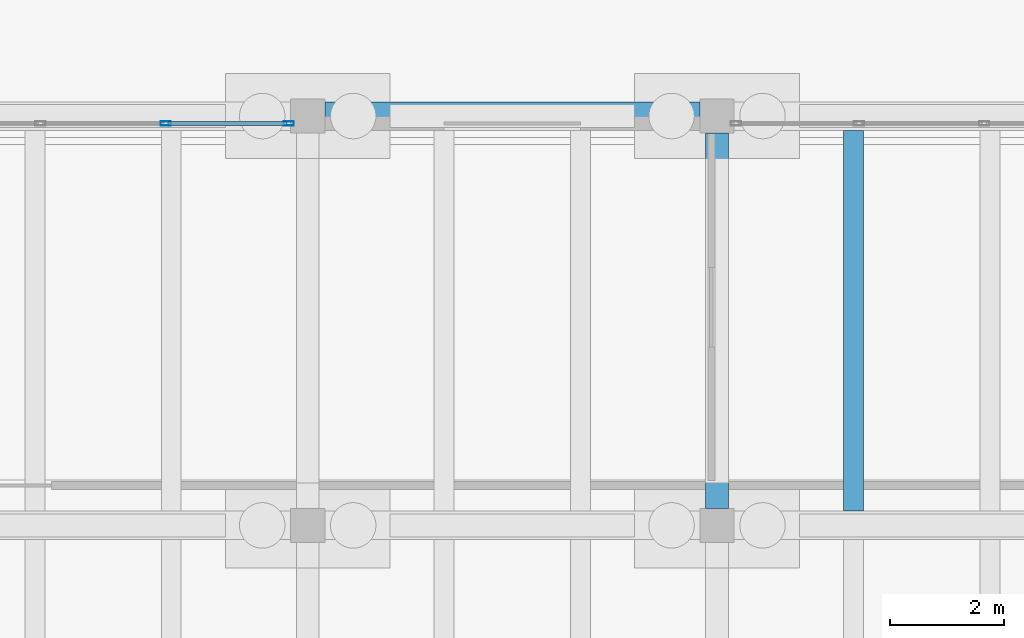
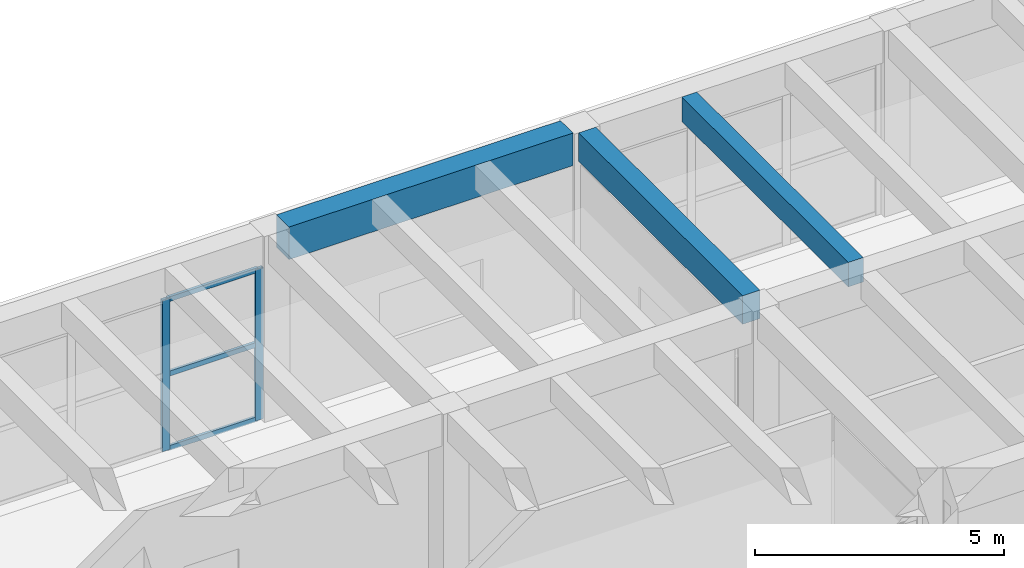
# One storey, part 101 of 155: 5 members, 3 beams, 1 element without a shape of its own.
"""IFC4 building model written with IfcOpenShell, lengths in metres."""

from ifc_helpers import new_model, si_unit, direction, frame, origin, origin_2d, place, context, subcontext, project, spatial, rectangle, hollow_rectangle, extrude, material, material_profile, profile_set, type_object, element, aggregate, save


model = new_model("IFC4")

# Units and contexts
model_context = context("Model", 3, precision=1e-05, world=origin(), true_north=direction((0.0, 1.0)))
body_context = subcontext(model_context, "Body", "Model", "MODEL_VIEW")
ifc_project = project(units=[si_unit("LENGTHUNIT", "METRE"), si_unit("AREAUNIT", "SQUARE_METRE"), si_unit("VOLUMEUNIT", "CUBIC_METRE"), si_unit("PLANEANGLEUNIT", "RADIAN"), si_unit("MASSUNIT", "GRAM", prefix="KILO")], contexts=[model_context])

# Site, building, storey
site_placement = place(None, origin())
site = spatial("IfcSite", under=ifc_project, at=site_placement, CompositionType="ELEMENT")
building_placement = place(site_placement, origin())
building = spatial("IfcBuilding", under=site, at=building_placement, Name="Bramvelor Terrace Health Centre", CompositionType="ELEMENT")
storey_placement = place(building_placement, origin())
storey = spatial("IfcBuildingStorey", under=building, at=storey_placement, Name="L01", CompositionType="ELEMENT", Elevation=0.0)

# Beams
ifc_material_1 = material(Name="Concrete C40/50", Category="concrete")
ifc_material_profile_1 = material_profile(ifc_material_1, rectangle(XDim=0.39990234375, YDim=0.699951171875, at=origin_2d()), Name="RC 400x700")
ifc_profile_set_1 = profile_set([ifc_material_profile_1], Name="Concrete C40/50")
beam_type_1 = type_object("IfcBeamType", Name="BM-RC-G700", PredefinedType="BEAM", material=ifc_profile_set_1)
beam_1_placement = place(storey_placement, frame((136.800048828125, 57.89990234375, 4.2099609375), z_axis=(0.0, 1.0, 0.0), x_axis=(-1.0, 0.0, 0.0)))
element("IfcBeam", 1, at=beam_1_placement, inside=storey, type_object=beam_type_1, Name="L01 Floor Girder", PredefinedType="BEAM", context=body_context, shape_type="SweptSolid", body=[
    extrude(rectangle(XDim=0.39990234375, YDim=0.699951171875, at=origin_2d()), origin(), (0.0, 0.0, 1.0), 6.60009765625),
])
ifc_material_2 = material(Name="Concrete C40/50", Category="concrete")
ifc_material_profile_2 = material_profile(ifc_material_2, rectangle(XDim=0.5, YDim=0.800048828125, at=origin_2d()), Name="RC 500x800")
ifc_profile_set_2 = profile_set([ifc_material_profile_2], Name="Concrete C40/50")
beam_type_2 = type_object("IfcBeamType", Name="BM-RC-G800", PredefinedType="BEAM", material=ifc_profile_set_2)
beam_2_placement = place(storey_placement, frame((129.89990234375, 64.800048828125, 4.159912109375), z_axis=(1.0, 0.0, 0.0), x_axis=(0.0, 1.0, 0.0)))
element("IfcBeam", 2, at=beam_2_placement, inside=storey, type_object=beam_type_2, Name="L01 Floor Girder", PredefinedType="BEAM", context=body_context, shape_type="SweptSolid", body=[
    extrude(rectangle(XDim=0.5, YDim=0.800048828125, at=origin_2d()), origin(), (0.0, 0.0, 1.0), 6.60009765625),
])
ifc_material_3 = material(Name="Concrete C40/50", Category="concrete")
ifc_material_profile_3 = material_profile(ifc_material_3, rectangle(XDim=0.35009765625, YDim=0.60009765625, at=origin_2d()), Name="RC 350x600")
ifc_profile_set_3 = profile_set([ifc_material_profile_3], Name="Concrete C40/50")
beam_type_3 = type_object("IfcBeamType", Name="BM-RC-J600", PredefinedType="JOIST", material=ifc_profile_set_3)
beam_3_placement = place(storey_placement, frame((139.199951171875, 57.85009765625, 4.260009765625), z_axis=(0.0, 1.0, 0.0), x_axis=(-1.0, 0.0, 0.0)))
element("IfcBeam", 3, at=beam_3_placement, inside=storey, type_object=beam_type_3, Name="L01 Secondary Floor Joist", PredefinedType="JOIST", context=body_context, shape_type="SweptSolid", body=[
    extrude(rectangle(XDim=0.35009765625, YDim=0.60009765625, at=origin_2d()), origin(), (0.0, 0.0, 1.0), 6.699951171875),
])

# Curtain wall, members
ifc_material_4 = material(Name="Anodized aluminium and double low-E glass", Category="aluminium")
curtain_wall_type = type_object("IfcCurtainWallType", Name="CW-SYS-02", PredefinedType="NOTDEFINED", material=ifc_material_4)
curtain_wall_placement = place(storey_placement, origin())
curtain_wall = element("IfcCurtainWall", 4, at=curtain_wall_placement, inside=storey, type_object=curtain_wall_type, Name="L01 Unitized Curtain Wall 38", PredefinedType="NOTDEFINED")
ifc_material_5 = material(Name="Anodized aluminium 6063-T6", Category="aluminium")
ifc_material_profile_4 = material_profile(ifc_material_5, hollow_rectangle(XDim=0.074951171875, YDim=0.179931640625, WallThickness=0.00341796875, at=origin_2d()), Name="ALU-MUL 75x180x3.5")
ifc_profile_set_4 = profile_set([ifc_material_profile_4], Name="Anodized aluminium 6063-T6")
member_type_1 = type_object("IfcMemberType", Name="CW-MUL-65x180", PredefinedType="MULLION", material=ifc_profile_set_4)
member_1_placement = place(storey_placement, frame((127.1015625, 64.669921875, 0.0), z_axis=(0.0, 0.0, 1.0), x_axis=(0.0, 1.0, 0.0)))
member_1 = element("IfcMember", 5, at=member_1_placement, type_object=member_type_1, Name="CW-02 mullion 3", PredefinedType="MULLION", context=body_context, shape_type="SweptSolid", body=[
    extrude(hollow_rectangle(XDim=0.074951171875, YDim=0.179931640625, WallThickness=0.00341796875, at=origin_2d()), origin(), (0.0, 0.0, 1.0), 3.719970703125),
])
member_2_placement = place(storey_placement, frame((129.267578125, 64.669921875, 0.0), z_axis=(0.0, 0.0, 1.0), x_axis=(0.0, 1.0, 0.0)))
member_2 = element("IfcMember", 6, at=member_2_placement, type_object=member_type_1, Name="CW-02 mullion 4", PredefinedType="MULLION", context=body_context, shape_type="SweptSolid", body=[
    extrude(hollow_rectangle(XDim=0.074951171875, YDim=0.179931640625, WallThickness=0.00341796875, at=origin_2d()), origin(), (0.0, 0.0, 1.0), 3.719970703125),
])
ifc_material_6 = material(Name="Anodized aluminium 6063-T6", Category="aluminium")
ifc_material_profile_5 = material_profile(ifc_material_6, hollow_rectangle(XDim=0.06494140625, YDim=0.1201171875, WallThickness=0.0029296875, at=origin_2d()), Name="ALU-TRN 65x120x3.0")
ifc_profile_set_5 = profile_set([ifc_material_profile_5], Name="Anodized aluminium 6063-T6")
member_type_2 = type_object("IfcMemberType", Name="CW-TRN-65x150", PredefinedType="USERDEFINED", material=ifc_profile_set_5)
member_3_placement = place(storey_placement, frame((127.13916015625, 64.669921875, 0.032470703125), z_axis=(1.0, 0.0, 0.0), x_axis=(0.0, 1.0, 0.0)))
member_3 = element("IfcMember", 7, at=member_3_placement, type_object=member_type_2, Name="CW-02 transom 3.1", ObjectType="TRANSOM", PredefinedType="USERDEFINED", context=body_context, shape_type="SweptSolid", body=[
    extrude(hollow_rectangle(XDim=0.06494140625, YDim=0.1201171875, WallThickness=0.0029296875, at=origin_2d()), origin(), (0.0, 0.0, 1.0), 2.0908203125),
])
member_4_placement = place(storey_placement, frame((127.13916015625, 64.669921875, 1.860107421875), z_axis=(1.0, 0.0, 0.0), x_axis=(0.0, 1.0, 0.0)))
member_4 = element("IfcMember", 8, at=member_4_placement, type_object=member_type_2, Name="CW-02 transom 3.2", ObjectType="TRANSOM", PredefinedType="USERDEFINED", context=body_context, shape_type="SweptSolid", body=[
    extrude(hollow_rectangle(XDim=0.06494140625, YDim=0.1201171875, WallThickness=0.0029296875, at=origin_2d()), origin(), (0.0, 0.0, 1.0), 2.0908203125),
])
member_5_placement = place(storey_placement, frame((127.13916015625, 64.669921875, 3.6875), z_axis=(1.0, 0.0, 0.0), x_axis=(0.0, 1.0, 0.0)))
member_5 = element("IfcMember", 9, at=member_5_placement, type_object=member_type_2, Name="CW-02 transom 3.3", ObjectType="TRANSOM", PredefinedType="USERDEFINED", context=body_context, shape_type="SweptSolid", body=[
    extrude(hollow_rectangle(XDim=0.06494140625, YDim=0.1201171875, WallThickness=0.0029296875, at=origin_2d()), origin(), (0.0, 0.0, 1.0), 2.0908203125),
])
aggregate(curtain_wall, [member_1, member_2, member_3, member_4, member_5])

save(model, "model.ifc")
